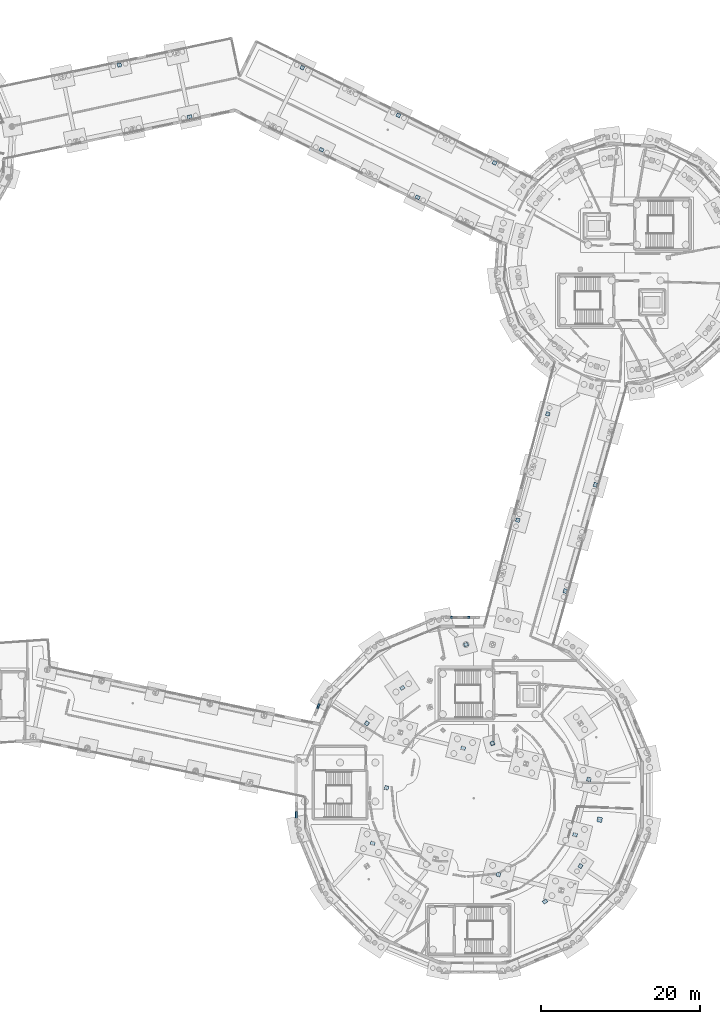
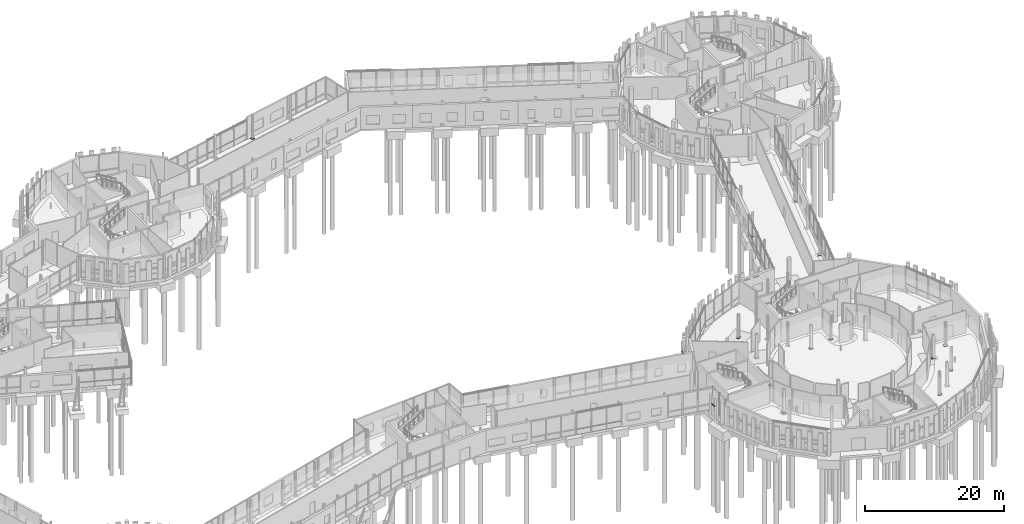
# One storey, part 77 of 113: 28 plates.
"""IFC4 building model written with IfcOpenShell, lengths in metres."""

from ifc_helpers import new_model, si_unit, direction, frame, origin, origin_2d, place, context, subcontext, project, spatial, rectangle, extrude, material, layer, layer_set, type_object, element, save


model = new_model("IFC4")

# Units and contexts
model_context = context("Model", 3, precision=1e-05, world=origin(), true_north=direction((0.0, 1.0)))
body_context = subcontext(model_context, "Body", "Model", "MODEL_VIEW")
ifc_project = project(units=[si_unit("LENGTHUNIT", "METRE"), si_unit("AREAUNIT", "SQUARE_METRE"), si_unit("VOLUMEUNIT", "CUBIC_METRE"), si_unit("PLANEANGLEUNIT", "RADIAN"), si_unit("MASSUNIT", "GRAM", prefix="KILO")], contexts=[model_context])

# Site, building, storey
site_placement = place(None, origin())
site = spatial("IfcSite", under=ifc_project, at=site_placement, CompositionType="ELEMENT")
building_placement = place(site_placement, origin())
building = spatial("IfcBuilding", under=site, at=building_placement, Name="Wrenclough Park School", CompositionType="ELEMENT")
storey_placement = place(building_placement, origin())
storey = spatial("IfcBuildingStorey", under=building, at=storey_placement, Name="L00", CompositionType="ELEMENT", Elevation=0.0)

# Plates
ifc_material_1 = material(Name="Anodised architectural aluminium solar shading fin plate", Category="aluminium")
ifc_layer_1 = layer(ifc_material_1, 0.0380859375)
ifc_layer_set_1 = layer_set([ifc_layer_1], Name="Anodised architectural aluminium solar shading fin plate")
plate_type_1 = type_object("IfcPlateType", Name="ENV-PL-BSF", PredefinedType="SHEET", material=ifc_layer_set_1)
for number, where, z_axis, x_axis, name in (
    (1, (154.59912109375, 48.878173828125, 2.4951171875), (0.0, 0.0, 1.0), (-1.0, 0.0, 0.0), "D1 L00 open-bond brick screen tie band 0005"),
    (2, (153.01708984375, 48.878173828125, 2.4951171875), (0.0, 0.0, 1.0), (-1.0, 0.0, 0.0), "D1 L00 open-bond brick screen tie band 0006"),
):
    element("IfcPlate", number, at=place(storey_placement, frame(where, z_axis=z_axis, x_axis=x_axis)), inside=storey, type_object=plate_type_1, Name=name, PredefinedType="SHEET", context=body_context, shape_type="SweptSolid", body=[
        extrude(rectangle(XDim=0.968017578125, YDim=0.219970703125, at=origin_2d()), origin(), (0.0, 0.0, 1.0), 0.0419921875),
    ])
plate_1_placement = place(storey_placement, frame((135.904296875, 37.66845703125, 2.4951171875), z_axis=(0.0, 0.0, 1.0), x_axis=(-0.382679144648, -0.92388130853, 0.0)))
element("IfcPlate", 3, at=plate_1_placement, inside=storey, type_object=plate_type_1, Name="D1 L00 open-bond brick screen tie band 0015", PredefinedType="SHEET", context=body_context, shape_type="SweptSolid", body=[
    extrude(rectangle(XDim=0.7724609375, YDim=0.219970703125, at=origin_2d()), origin(), (0.0, 0.0, 1.0), 0.0419921875),
])
plate_2_placement = place(storey_placement, frame((133.121826171875, 23.9453125, 2.4951171875), z_axis=(0.0, 0.0, 1.0), x_axis=(0.0, -1.0, 0.0)))
element("IfcPlate", 4, at=plate_2_placement, inside=storey, type_object=plate_type_1, Name="D1 L00 open-bond brick screen tie band 0016", PredefinedType="SHEET", context=body_context, shape_type="SweptSolid", body=[
    extrude(rectangle(XDim=0.92626953125, YDim=0.219970703125, at=origin_2d()), origin(), (0.0, 0.0, 1.0), 0.0419921875),
])
ifc_material_2 = material(Name="Structural steel S355", Category="steel")
ifc_layer_2 = layer(ifc_material_2, 0.028076171875)
ifc_layer_set_2 = layer_set([ifc_layer_2], Name="Structural steel S355")
plate_type_2 = type_object("IfcPlateType", Name="STR-PL-BP2", PredefinedType="SHEET", material=ifc_layer_set_2)
for number, where, z_axis, x_axis, name in (
    (5, (142.77197265625, 20.37744140625, 0.0), (0.0, 0.0, 1.0), (0.970295726276, -0.2419218956, 0.0), "Steel column baseplate D1HR-0-0"),
    (6, (154.1796875, 32.3740234375, 0.0), (0.0, 0.0, 1.0), (0.970295726276, -0.2419218956, 0.0), "Steel column baseplate D1HR-1-2"),
    (7, (168.2861328125, 21.4365234375, 0.0), (0.0, 0.0, 1.0), (0.970295726276, -0.2419218956, 0.0), "Steel column baseplate D1HR-3-1"),
    (8, (154.530517578125, 45.43017578125, 0.0), (0.0, 0.0, 1.0), (-0.965925826289, -0.258819045103, 0.0), "Steel column baseplate D1SH-04"),
    (9, (146.499755859375, 39.9697265625, 0.0), (0.0, 0.0, 1.0), (-0.831469612303, -0.55557023302, 0.0), "Steel column baseplate D1-MID-06"),
    (10, (164.500244140625, 13.0302734375, 0.0), (0.0, 0.0, 1.0), (0.831469612303, 0.55557023302, 0.0), "Steel column baseplate D1-MID-14"),
    (11, (167.04443359375, 52.181396484375, 0.0), (0.0, 0.0, 1.0), (0.272784025857, 0.962075296033, 0.0), "Steel column baseplate W14-C1-R04"),
    (12, (170.844482421875, 65.581298828125, 0.0), (0.0, 0.0, 1.0), (0.272784025857, 0.962075296033, 0.0), "Steel column baseplate W14-C1-R06"),
    (13, (119.67333984375, 111.987060546875, 0.0), (0.0, 0.0, 1.0), (0.978795946539, 0.204837728554, 0.0), "Steel column baseplate W45-C1-R05"),
    (14, (136.306640625, 107.8251953125, 0.0), (0.0, 0.0, 1.0), (0.896254315973, -0.443540529265, 0.0), "Steel column baseplate W45-C2-R02"),
    (15, (148.431640625, 101.8251953125, 0.0), (0.0, 0.0, 1.0), (0.896254315973, -0.443540529265, 0.0), "Steel column baseplate W45-C2-R04"),
):
    element("IfcPlate", number, at=place(storey_placement, frame(where, z_axis=z_axis, x_axis=x_axis)), inside=storey, type_object=plate_type_2, Name=name, PredefinedType="SHEET", context=body_context, shape_type="SweptSolid", body=[
        extrude(rectangle(XDim=0.550048828125, YDim=0.449951171875, at=origin_2d()), origin(), (0.0, 0.0, 1.0), 0.028076171875),
    ])
ifc_layer_3 = layer(ifc_material_2, 0.02587890625)
ifc_layer_set_3 = layer_set([ifc_layer_3], Name="Structural steel S355")
plate_type_3 = type_object("IfcPlateType", Name="STR-PL-BP3", PredefinedType="SHEET", material=ifc_layer_set_3)
for number, where, z_axis, x_axis, name in (
    (16, (144.513916015625, 27.363525390625, 0.0), (0.0, 0.0, 1.0), (0.970295726276, -0.2419218956, 0.0), "Steel column baseplate D1HR-0-1"),
    (17, (158.6201171875, 16.426025390625, 0.0), (0.0, 0.0, 1.0), (0.970295726276, -0.2419218956, 0.0), "Steel column baseplate D1HR-2-0"),
    (18, (170.028076171875, 28.422607421875, 0.0), (0.0, 0.0, 1.0), (0.970295726276, -0.2419218956, 0.0), "Steel column baseplate D1HR-3-2"),
    (19, (157.869384765625, 32.9697265625, 0.0), (0.0, 0.0, 1.0), (0.965925826289, 0.258819045103, 0.0), "Steel column baseplate D1SH-10"),
    (20, (142.0302734375, 35.500244140625, 0.0), (0.0, 0.0, 1.0), (-0.55557023302, -0.831469612303, 0.0), "Steel column baseplate D1-MID-07"),
    (21, (168.9697265625, 17.499755859375, 0.0), (0.0, 0.0, 1.0), (0.55557023302, 0.831469612303, 0.0), "Steel column baseplate D1-MID-15"),
    (22, (161.055419921875, 61.11865234375, 0.0), (0.0, 0.0, 1.0), (0.272784025857, 0.962075296033, 0.0), "Steel column baseplate W14-C1-L05"),
    (23, (164.85546875, 74.5185546875, 0.0), (0.0, 0.0, 1.0), (0.272784025857, 0.962075296033, 0.0), "Steel column baseplate W14-C1-L07"),
    (24, (110.82666015625, 118.512939453125, 0.0), (0.0, 0.0, 1.0), (0.978795946539, 0.204837728554, 0.0), "Steel column baseplate W45-C1-L04"),
    (25, (133.880859375, 118.1748046875, 0.0), (0.0, 0.0, 1.0), (0.896254315973, -0.443540529265, 0.0), "Steel column baseplate W45-C2-L01"),
    (26, (146.005859375, 112.1748046875, 0.0), (0.0, 0.0, 1.0), (0.896254315973, -0.443540529265, 0.0), "Steel column baseplate W45-C2-L03"),
    (27, (158.130859375, 106.1748046875, 0.0), (0.0, 0.0, 1.0), (0.896254315973, -0.443540529265, 0.0), "Steel column baseplate W45-C2-L05"),
):
    element("IfcPlate", number, at=place(storey_placement, frame(where, z_axis=z_axis, x_axis=x_axis)), inside=storey, type_object=plate_type_3, Name=name, PredefinedType="SHEET", context=body_context, shape_type="SweptSolid", body=[
        extrude(rectangle(XDim=0.5, YDim=0.5, at=origin_2d()), origin(), (0.0, 0.0, 1.0), 0.02587890625),
    ])
ifc_layer_4 = layer(ifc_material_2, 0.030029296875)
ifc_layer_set_4 = layer_set([ifc_layer_4], Name="Structural steel S355")
plate_type_4 = type_object("IfcPlateType", Name="STR-PL-BP4", PredefinedType="SHEET", material=ifc_layer_set_4)
plate_3_placement = place(storey_placement, frame((171.388671875, 23.339599609375, 0.0), z_axis=(0.0, 0.0, 1.0), x_axis=(0.195090322016, 0.980785280403, 0.0)))
element("IfcPlate", 28, at=plate_3_placement, inside=storey, type_object=plate_type_4, Name="Steel column baseplate D1-MID-16", PredefinedType="SHEET", context=body_context, shape_type="SweptSolid", body=[
    extrude(rectangle(XDim=0.60009765625, YDim=0.60009765625, at=origin_2d()), origin(), (0.0, 0.0, 1.0), 0.030029296875),
])

save(model, "model.ifc")
